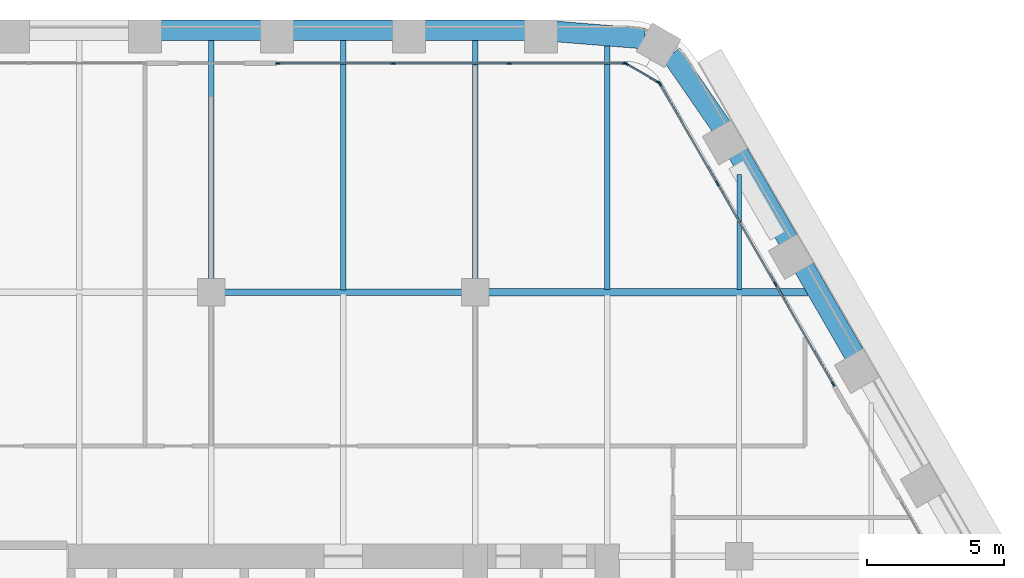
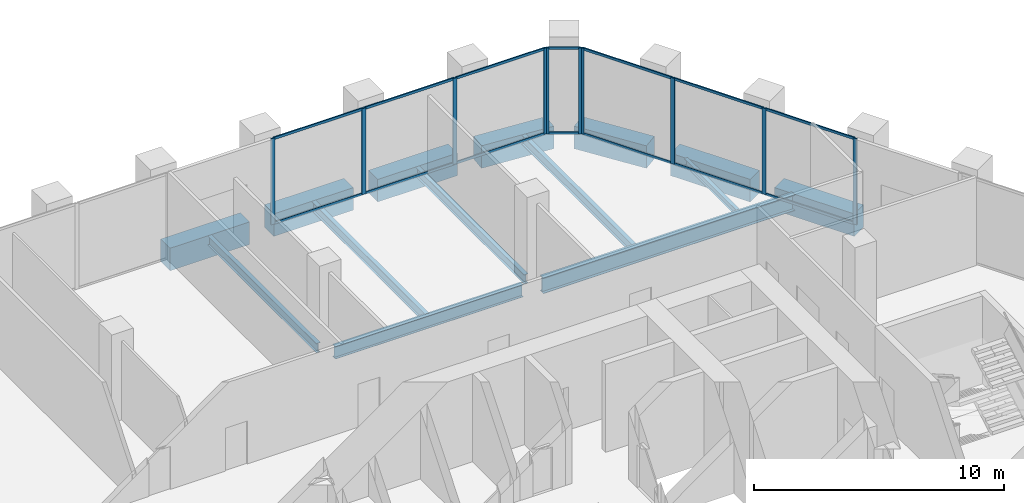
# One storey, part 10 of 24: 24 members, 14 beams, 3 elements without a shape of their own.
"""IFC4 building model written with IfcOpenShell, lengths in metres."""

from ifc_helpers import new_model, si_unit, direction, frame, origin, origin_2d, place, context, subcontext, project, spatial, rectangle, i_section, extrude, material, material_profile, profile_set, type_object, element, aggregate, save


model = new_model("IFC4")

# Units and contexts
model_context = context("Model", 3, precision=1e-05, world=origin(), true_north=direction((0.0, 1.0)))
body_context = subcontext(model_context, "Body", "Model", "MODEL_VIEW")
ifc_project = project(units=[si_unit("LENGTHUNIT", "METRE"), si_unit("AREAUNIT", "SQUARE_METRE"), si_unit("VOLUMEUNIT", "CUBIC_METRE"), si_unit("PLANEANGLEUNIT", "RADIAN"), si_unit("MASSUNIT", "GRAM", prefix="KILO")], contexts=[model_context])

# Site, building, storey
site_placement = place(None, origin())
site = spatial("IfcSite", under=ifc_project, at=site_placement, CompositionType="ELEMENT")
building_placement = place(site_placement, origin())
building = spatial("IfcBuilding", under=site, at=building_placement, Name="Kolab Exchange Tower", CompositionType="ELEMENT")
storey_placement = place(building_placement, frame((0.0, 0.0, 86.89990234375)))
storey = spatial("IfcBuildingStorey", under=building, at=storey_placement, Name="L16", CompositionType="ELEMENT", Elevation=86.89990234375)

# Beams
ifc_material_1 = material(Name="Steel S355", Category="steel")
ifc_material_profile_1 = material_profile(ifc_material_1, i_section(OverallWidth=0.1650390625, OverallDepth=0.31005859375, WebThickness=0.005859375, FlangeThickness=0.009765625, at=origin_2d()), Name="W310X39")
ifc_profile_set_1 = profile_set([ifc_material_profile_1], Name="Steel S355")
beam_type_1 = type_object("IfcBeamType", Name="FLOOR BEAM W310X39", PredefinedType="BEAM", material=ifc_profile_set_1)
beam_1_placement = place(storey_placement, frame((19.199951171875, 19.29345703125, -0.35498046875), z_axis=(0.0, 1.0, 0.0), x_axis=(-1.0, 0.0, 0.0)))
element("IfcBeam", 1, at=beam_1_placement, inside=storey, type_object=beam_type_1, Name="beam/L16/fr/045", PredefinedType="BEAM", context=body_context, shape_type="SweptSolid", body=[
    extrude(i_section(OverallWidth=0.1650390625, OverallDepth=0.31005859375, WebThickness=0.005859375, FlangeThickness=0.009765625, at=origin_2d()), origin(), (0.0, 0.0, 1.0), 4.18798828125),
])
ifc_material_profile_2 = material_profile(ifc_material_1, i_section(OverallWidth=0.18994140625, OverallDepth=0.45703125, WebThickness=0.009033203125, FlangeThickness=0.014404296875, at=origin_2d()), Name="W460X74")
ifc_profile_set_2 = profile_set([ifc_material_profile_2], Name="Steel S355")
beam_type_2 = type_object("IfcBeamType", Name="FLOOR BEAM W460X74", PredefinedType="BEAM", material=ifc_profile_set_2)
beam_2_placement = place(storey_placement, frame((0.0, 19.659912109375, -0.428466796875), z_axis=(0.0, 1.0, 0.0), x_axis=(-1.0, 0.0, 0.0)))
element("IfcBeam", 2, at=beam_2_placement, inside=storey, type_object=beam_type_2, Name="beam/L16/fr/027", PredefinedType="BEAM", context=body_context, shape_type="SweptSolid", body=[
    extrude(i_section(OverallWidth=0.18994140625, OverallDepth=0.45703125, WebThickness=0.009033203125, FlangeThickness=0.014404296875, at=origin_2d()), origin(), (0.0, 0.0, 1.0), 8.728515625),
])
beam_3_placement = place(storey_placement, frame((4.800048828125, 19.27392578125, -0.428466796875), z_axis=(0.0, 1.0, 0.0), x_axis=(-1.0, 0.0, 0.0)))
element("IfcBeam", 3, at=beam_3_placement, inside=storey, type_object=beam_type_2, Name="beam/L16/fr/031", PredefinedType="BEAM", context=body_context, shape_type="SweptSolid", body=[
    extrude(i_section(OverallWidth=0.18994140625, OverallDepth=0.45703125, WebThickness=0.009033203125, FlangeThickness=0.014404296875, at=origin_2d()), origin(), (0.0, 0.0, 1.0), 9.114501953125),
])
beam_4_placement = place(storey_placement, frame((9.60009765625, 19.659912109375, -0.428466796875), z_axis=(0.0, 1.0, 0.0), x_axis=(-1.0, 0.0, 0.0)))
element("IfcBeam", 4, at=beam_4_placement, inside=storey, type_object=beam_type_2, Name="beam/L16/fr/035", PredefinedType="BEAM", context=body_context, shape_type="SweptSolid", body=[
    extrude(i_section(OverallWidth=0.18994140625, OverallDepth=0.45703125, WebThickness=0.009033203125, FlangeThickness=0.014404296875, at=origin_2d()), origin(), (0.0, 0.0, 1.0), 8.728515625),
])
beam_5_placement = place(storey_placement, frame((14.39990234375, 19.29345703125, -0.428466796875), z_axis=(0.0, 1.0, 0.0), x_axis=(-1.0, 0.0, 0.0)))
element("IfcBeam", 5, at=beam_5_placement, inside=storey, type_object=beam_type_2, Name="beam/L16/fr/039", PredefinedType="BEAM", context=body_context, shape_type="SweptSolid", body=[
    extrude(i_section(OverallWidth=0.18994140625, OverallDepth=0.45703125, WebThickness=0.009033203125, FlangeThickness=0.014404296875, at=origin_2d()), origin(), (0.0, 0.0, 1.0), 8.901123046875),
])
ifc_material_profile_3 = material_profile(ifc_material_1, i_section(OverallWidth=0.22802734375, OverallDepth=0.60791015625, WebThickness=0.01123046875, FlangeThickness=0.017333984375, at=origin_2d()), Name="W610X113")
ifc_profile_set_3 = profile_set([ifc_material_profile_3], Name="Steel S355")
beam_type_3 = type_object("IfcBeamType", Name="FLOOR GIRDER W610X113", PredefinedType="BEAM", material=ifc_profile_set_3)
beam_6_placement = place(storey_placement, frame((0.4599609375, 19.199951171875, -0.50390625), z_axis=(1.0, 0.0, 0.0), x_axis=(0.0, 1.0, 0.0)))
element("IfcBeam", 6, at=beam_6_placement, inside=storey, type_object=beam_type_3, Name="beam/L16/gd/011", PredefinedType="BEAM", context=body_context, shape_type="SweptSolid", body=[
    extrude(i_section(OverallWidth=0.22802734375, OverallDepth=0.60791015625, WebThickness=0.01123046875, FlangeThickness=0.017333984375, at=origin_2d()), origin(), (0.0, 0.0, 1.0), 8.679931640625),
])
ifc_material_profile_4 = material_profile(ifc_material_1, i_section(OverallWidth=0.26708984375, OverallDepth=0.761962890625, WebThickness=0.014404296875, FlangeThickness=0.021484375, at=origin_2d()), Name="W760X173")
ifc_profile_set_4 = profile_set([ifc_material_profile_4], Name="Steel S355")
beam_type_4 = type_object("IfcBeamType", Name="FLOOR GIRDER W760X173", PredefinedType="BEAM", material=ifc_profile_set_4)
beam_7_placement = place(storey_placement, frame((10.06005859375, 19.199951171875, -0.580810546875), z_axis=(1.0, 0.0, 0.0), x_axis=(0.0, 1.0, 0.0)))
element("IfcBeam", 7, at=beam_7_placement, inside=storey, type_object=beam_type_4, Name="beam/L16/gd/013", PredefinedType="BEAM", context=body_context, shape_type="SweptSolid", body=[
    extrude(i_section(OverallWidth=0.26708984375, OverallDepth=0.761962890625, WebThickness=0.014404296875, FlangeThickness=0.021484375, at=origin_2d()), origin(), (0.0, 0.0, 1.0), 11.628662109375),
])
ifc_material_2 = material(Name="Concrete C70/85", Category="concrete")
ifc_material_profile_5 = material_profile(ifc_material_2, rectangle(XDim=0.75, YDim=1.10009765625, at=origin_2d()), Name="RC750X1100")
ifc_profile_set_5 = profile_set([ifc_material_profile_5], Name="Concrete C70/85")
beam_type_5 = type_object("IfcBeamType", Name="SPANDREL BEAM 750X1100 C70/85", PredefinedType="BEAM", material=ifc_profile_set_5)
beam_8_placement = place(storey_placement, frame((-1.840087890625, 28.723388671875, -0.75), z_axis=(1.0, 0.0, 0.0), x_axis=(0.0, 1.0, 0.0)))
element("IfcBeam", 8, at=beam_8_placement, inside=storey, type_object=beam_type_5, Name="beam/L16/sp/F1-04", PredefinedType="BEAM", context=body_context, shape_type="SweptSolid", body=[
    extrude(rectangle(XDim=0.75, YDim=1.10009765625, at=origin_2d()), origin(), (0.0, 0.0, 1.0), 3.68017578125),
])
for number, where, z_axis, x_axis, name in (
    (9, (2.9599609375, 28.723388671875, -0.75), (1.0, 0.0, 0.0), (0.0, 1.0, 0.0), "beam/L16/sp/F1-05"),
    (10, (7.760009765625, 28.723388671875, -0.75), (1.0, 0.0, 0.0), (0.0, 1.0, 0.0), "beam/L16/sp/F1-06"),
):
    element("IfcBeam", number, at=place(storey_placement, frame(where, z_axis=z_axis, x_axis=x_axis)), inside=storey, type_object=beam_type_5, Name=name, PredefinedType="BEAM", context=body_context, shape_type="SweptSolid", body=[
        extrude(rectangle(XDim=0.75, YDim=1.10009765625, at=origin_2d()), origin(), (0.0, 0.0, 1.0), 3.679931640625),
    ])
for number, where, z_axis, x_axis, name in (
    (11, (12.56005859375, 28.678466796875, -0.75), (0.996791038408, -0.080047646748, 0.0), (0.080047646748, 0.996791038408, 0.0), "beam/L16/sp/F1-07"),
    (12, (16.73486328125, 27.85791015625, -0.75), (0.567661826262, -0.823261836237, 0.0), (0.823261836237, 0.567661826262, 0.0), "beam/L16/sp/F2-01"),
):
    element("IfcBeam", number, at=place(storey_placement, frame(where, z_axis=z_axis, x_axis=x_axis)), inside=storey, type_object=beam_type_5, Name=name, PredefinedType="BEAM", context=body_context, shape_type="SweptSolid", body=[
        extrude(rectangle(XDim=0.75, YDim=1.10009765625, at=origin_2d()), origin(), (0.0, 0.0, 1.0), 3.20849609375),
    ])
for number, where, z_axis, x_axis, name in (
    (13, (19.1552734375, 24.26904296875, -0.75), (0.500013413428, -0.866017659399, 0.0), (0.866017659399, 0.500013413428, 0.0), "beam/L16/sp/F2-02"),
    (14, (21.55517578125, 20.112060546875, -0.75), (0.500013413428, -0.866017659399, 0.0), (0.866017659399, 0.500013413428, 0.0), "beam/L16/sp/F2-03"),
):
    element("IfcBeam", number, at=place(storey_placement, frame(where, z_axis=z_axis, x_axis=x_axis)), inside=storey, type_object=beam_type_5, Name=name, PredefinedType="BEAM", context=body_context, shape_type="SweptSolid", body=[
        extrude(rectangle(XDim=0.75, YDim=1.10009765625, at=origin_2d()), origin(), (0.0, 0.0, 1.0), 3.68017578125),
    ])

# Curtain wall, members
ifc_material_3 = material(Name="Aluminium EN AW-6063 T6", Category="aluminium")
curtain_wall_type = type_object("IfcCurtainWallType", Name="UNITISED LOWER MID ZONE CURTAIN WALL", PredefinedType="NOTDEFINED", material=ifc_material_3)
curtain_wall_1_placement = place(storey_placement, origin())
curtain_wall_1 = element("IfcCurtainWall", 15, at=curtain_wall_1_placement, inside=storey, type_object=curtain_wall_type, Name="cw/L16/F1-2", PredefinedType="NOTDEFINED")
ifc_material_profile_6 = material_profile(ifc_material_3, rectangle(XDim=0.06005859375, YDim=0.179931640625, at=origin_2d()), Name="RECT 60X180")
ifc_profile_set_6 = profile_set([ifc_material_profile_6], Name="Aluminium EN AW-6063 T6")
member_type_1 = type_object("IfcMemberType", Name="UNITISED LOWER MID ZONE MULLION 60 X 180", PredefinedType="MULLION", material=ifc_profile_set_6)
member_1_placement = place(storey_placement, frame((2.429931640625, 27.5185546875, 0.0), z_axis=(0.0, 0.0, 1.0), x_axis=(0.0, 1.0, 0.0)))
member_1 = element("IfcMember", 16, at=member_1_placement, type_object=member_type_1, Name="CW2 mullion 1", PredefinedType="MULLION", context=body_context, shape_type="SweptSolid", body=[
    extrude(rectangle(XDim=0.06005859375, YDim=0.179931640625, at=origin_2d()), origin(), (0.0, 0.0, 1.0), 4.2001953125),
])
member_2_placement = place(storey_placement, frame((6.62255859375, 27.5185546875, 0.0), z_axis=(0.0, 0.0, 1.0), x_axis=(0.0, 1.0, 0.0)))
member_2 = element("IfcMember", 17, at=member_2_placement, type_object=member_type_1, Name="CW2 mullion 2", PredefinedType="MULLION", context=body_context, shape_type="SweptSolid", body=[
    extrude(rectangle(XDim=0.06005859375, YDim=0.179931640625, at=origin_2d()), origin(), (0.0, 0.0, 1.0), 4.2001953125),
])
member_3_placement = place(storey_placement, frame((10.84521484375, 27.5185546875, 0.0), z_axis=(0.0, 0.0, 1.0), x_axis=(0.0, 1.0, 0.0)))
member_3 = element("IfcMember", 18, at=member_3_placement, type_object=member_type_1, Name="CW2 mullion 3", PredefinedType="MULLION", context=body_context, shape_type="SweptSolid", body=[
    extrude(rectangle(XDim=0.06005859375, YDim=0.179931640625, at=origin_2d()), origin(), (0.0, 0.0, 1.0), 4.2001953125),
])
member_4_placement = place(storey_placement, frame((15.037841796875, 27.5185546875, 0.0), z_axis=(0.0, 0.0, 1.0), x_axis=(0.0, 1.0, 0.0)))
member_4 = element("IfcMember", 19, at=member_4_placement, type_object=member_type_1, Name="CW2 mullion 4", PredefinedType="MULLION", context=body_context, shape_type="SweptSolid", body=[
    extrude(rectangle(XDim=0.06005859375, YDim=0.179931640625, at=origin_2d()), origin(), (0.0, 0.0, 1.0), 4.2001953125),
])

curtain_wall_2_placement = place(storey_placement, origin())
curtain_wall_2 = element("IfcCurtainWall", 20, at=curtain_wall_2_placement, inside=storey, type_object=curtain_wall_type, Name="cw/L16/F2-1", PredefinedType="NOTDEFINED")
member_5_placement = place(storey_placement, frame((16.312744140625, 26.782470703125, 0.0), z_axis=(0.0, 0.0, 1.0), x_axis=(0.866025393644, 0.500000017564, 0.0)))
member_5 = element("IfcMember", 21, at=member_5_placement, type_object=member_type_1, Name="CW2 mullion 1", PredefinedType="MULLION", context=body_context, shape_type="SweptSolid", body=[
    extrude(rectangle(XDim=0.06005859375, YDim=0.179931640625, at=origin_2d()), origin(), (0.0, 0.0, 1.0), 4.2001953125),
])
member_6_placement = place(storey_placement, frame((18.408935546875, 23.151611328125, 0.0), z_axis=(0.0, 0.0, 1.0), x_axis=(0.866025393644, 0.500000017564, 0.0)))
member_6 = element("IfcMember", 22, at=member_6_placement, type_object=member_type_1, Name="CW2 mullion 2", PredefinedType="MULLION", context=body_context, shape_type="SweptSolid", body=[
    extrude(rectangle(XDim=0.06005859375, YDim=0.179931640625, at=origin_2d()), origin(), (0.0, 0.0, 1.0), 4.2001953125),
])
member_7_placement = place(storey_placement, frame((20.520263671875, 19.49462890625, 0.0), z_axis=(0.0, 0.0, 1.0), x_axis=(0.866025393644, 0.500000017564, 0.0)))
member_7 = element("IfcMember", 23, at=member_7_placement, type_object=member_type_1, Name="CW2 mullion 3", PredefinedType="MULLION", context=body_context, shape_type="SweptSolid", body=[
    extrude(rectangle(XDim=0.06005859375, YDim=0.179931640625, at=origin_2d()), origin(), (0.0, 0.0, 1.0), 4.2001953125),
])
member_8_placement = place(storey_placement, frame((22.61669921875, 15.86376953125, 0.0), z_axis=(0.0, 0.0, 1.0), x_axis=(0.866025393644, 0.500000017564, 0.0)))
member_8 = element("IfcMember", 24, at=member_8_placement, type_object=member_type_1, Name="CW2 mullion 4", PredefinedType="MULLION", context=body_context, shape_type="SweptSolid", body=[
    extrude(rectangle(XDim=0.06005859375, YDim=0.179931640625, at=origin_2d()), origin(), (0.0, 0.0, 1.0), 4.2001953125),
])

curtain_wall_3_placement = place(storey_placement, origin())
curtain_wall_3 = element("IfcCurtainWall", 25, at=curtain_wall_3_placement, inside=storey, type_object=curtain_wall_type, Name="cw/L16/F1F2-corner", PredefinedType="NOTDEFINED")
member_9_placement = place(storey_placement, frame((15.093994140625, 27.50341796875, 0.0), z_axis=(0.0, 0.0, 1.0), x_axis=(0.50000002237, 0.866025390869, 0.0)))
member_9 = element("IfcMember", 26, at=member_9_placement, type_object=member_type_1, Name="CW2 mullion 1", PredefinedType="MULLION", context=body_context, shape_type="SweptSolid", body=[
    extrude(rectangle(XDim=0.06005859375, YDim=0.179931640625, at=origin_2d()), origin(), (0.0, 0.0, 1.0), 4.2001953125),
])
member_10_placement = place(storey_placement, frame((16.271728515625, 26.823486328125, 0.0), z_axis=(0.0, 0.0, 1.0), x_axis=(0.50000002237, 0.866025390869, 0.0)))
member_10 = element("IfcMember", 27, at=member_10_placement, type_object=member_type_1, Name="CW2 mullion 2", PredefinedType="MULLION", context=body_context, shape_type="SweptSolid", body=[
    extrude(rectangle(XDim=0.06005859375, YDim=0.179931640625, at=origin_2d()), origin(), (0.0, 0.0, 1.0), 4.2001953125),
])

# Member
ifc_material_profile_7 = material_profile(ifc_material_3, rectangle(XDim=0.06005859375, YDim=0.1201171875, at=origin_2d()), Name="RECT 60X120")
ifc_profile_set_7 = profile_set([ifc_material_profile_7], Name="Aluminium EN AW-6063 T6")
member_type_2 = type_object("IfcMemberType", Name="UNITISED LOWER MID ZONE TRANSOM 60 X 120", PredefinedType="USERDEFINED", material=ifc_profile_set_7)
member_11_placement = place(storey_placement, frame((2.4599609375, 27.5185546875, 0.030029296875), z_axis=(1.0, 0.0, 0.0), x_axis=(0.0, 1.0, 0.0)))
member_11 = element("IfcMember", 28, at=member_11_placement, type_object=member_type_2, Name="CW2 transom 1.1", ObjectType="TRANSOM", PredefinedType="USERDEFINED", context=body_context, shape_type="SweptSolid", body=[
    extrude(rectangle(XDim=0.06005859375, YDim=0.1201171875, at=origin_2d()), origin(), (0.0, 0.0, 1.0), 4.132568359375),
])

member_12_placement = place(storey_placement, frame((2.4599609375, 27.5185546875, 4.170166015625), z_axis=(1.0, 0.0, 0.0), x_axis=(0.0, 1.0, 0.0)))
member_12 = element("IfcMember", 29, at=member_12_placement, type_object=member_type_2, Name="CW2 transom 1.2", ObjectType="TRANSOM", PredefinedType="USERDEFINED", context=body_context, shape_type="SweptSolid", body=[
    extrude(rectangle(XDim=0.06005859375, YDim=0.1201171875, at=origin_2d()), origin(), (0.0, 0.0, 1.0), 4.132568359375),
])

member_13_placement = place(storey_placement, frame((6.652587890625, 27.5185546875, 0.030029296875), z_axis=(1.0, 0.0, 0.0), x_axis=(0.0, 1.0, 0.0)))
member_13 = element("IfcMember", 30, at=member_13_placement, type_object=member_type_2, Name="CW2 transom 2.1", ObjectType="TRANSOM", PredefinedType="USERDEFINED", context=body_context, shape_type="SweptSolid", body=[
    extrude(rectangle(XDim=0.06005859375, YDim=0.1201171875, at=origin_2d()), origin(), (0.0, 0.0, 1.0), 4.16259765625),
])

member_14_placement = place(storey_placement, frame((6.652587890625, 27.5185546875, 4.170166015625), z_axis=(1.0, 0.0, 0.0), x_axis=(0.0, 1.0, 0.0)))
member_14 = element("IfcMember", 31, at=member_14_placement, type_object=member_type_2, Name="CW2 transom 2.2", ObjectType="TRANSOM", PredefinedType="USERDEFINED", context=body_context, shape_type="SweptSolid", body=[
    extrude(rectangle(XDim=0.06005859375, YDim=0.1201171875, at=origin_2d()), origin(), (0.0, 0.0, 1.0), 4.16259765625),
])

member_15_placement = place(storey_placement, frame((10.875244140625, 27.5185546875, 0.030029296875), z_axis=(1.0, 0.0, 0.0), x_axis=(0.0, 1.0, 0.0)))
member_15 = element("IfcMember", 32, at=member_15_placement, type_object=member_type_2, Name="CW2 transom 3.1", ObjectType="TRANSOM", PredefinedType="USERDEFINED", context=body_context, shape_type="SweptSolid", body=[
    extrude(rectangle(XDim=0.06005859375, YDim=0.1201171875, at=origin_2d()), origin(), (0.0, 0.0, 1.0), 4.1328125),
])

member_16_placement = place(storey_placement, frame((10.875244140625, 27.5185546875, 4.170166015625), z_axis=(1.0, 0.0, 0.0), x_axis=(0.0, 1.0, 0.0)))
member_16 = element("IfcMember", 33, at=member_16_placement, type_object=member_type_2, Name="CW2 transom 3.2", ObjectType="TRANSOM", PredefinedType="USERDEFINED", context=body_context, shape_type="SweptSolid", body=[
    extrude(rectangle(XDim=0.06005859375, YDim=0.1201171875, at=origin_2d()), origin(), (0.0, 0.0, 1.0), 4.1328125),
])

aggregate(curtain_wall_1, [member_1, member_2, member_3, member_4, member_11, member_12, member_13, member_14, member_15, member_16])

member_17_placement = place(storey_placement, frame((16.32763671875, 26.756591796875, 0.030029296875), z_axis=(0.500001996123, -0.866024251319, 0.0), x_axis=(0.866024251319, 0.500001996123, 0.0)))
member_17 = element("IfcMember", 34, at=member_17_placement, type_object=member_type_2, Name="CW2 transom 1.1", ObjectType="TRANSOM", PredefinedType="USERDEFINED", context=body_context, shape_type="SweptSolid", body=[
    extrude(rectangle(XDim=0.06005859375, YDim=0.1201171875, at=origin_2d()), origin(), (0.0, 0.0, 1.0), 4.1328125),
])

member_18_placement = place(storey_placement, frame((16.32763671875, 26.756591796875, 4.170166015625), z_axis=(0.500001996123, -0.866024251319, 0.0), x_axis=(0.866024251319, 0.500001996123, 0.0)))
member_18 = element("IfcMember", 35, at=member_18_placement, type_object=member_type_2, Name="CW2 transom 1.2", ObjectType="TRANSOM", PredefinedType="USERDEFINED", context=body_context, shape_type="SweptSolid", body=[
    extrude(rectangle(XDim=0.06005859375, YDim=0.1201171875, at=origin_2d()), origin(), (0.0, 0.0, 1.0), 4.1328125),
])

member_19_placement = place(storey_placement, frame((18.424072265625, 23.12548828125, 0.030029296875), z_axis=(0.49999322259, -0.866029316688, 0.0), x_axis=(0.866029316688, 0.49999322259, 0.0)))
member_19 = element("IfcMember", 36, at=member_19_placement, type_object=member_type_2, Name="CW2 transom 2.1", ObjectType="TRANSOM", PredefinedType="USERDEFINED", context=body_context, shape_type="SweptSolid", body=[
    extrude(rectangle(XDim=0.06005859375, YDim=0.1201171875, at=origin_2d()), origin(), (0.0, 0.0, 1.0), 4.16259765625),
])

member_20_placement = place(storey_placement, frame((18.424072265625, 23.12548828125, 4.170166015625), z_axis=(0.49999322259, -0.866029316688, 0.0), x_axis=(0.866029316688, 0.49999322259, 0.0)))
member_20 = element("IfcMember", 37, at=member_20_placement, type_object=member_type_2, Name="CW2 transom 2.2", ObjectType="TRANSOM", PredefinedType="USERDEFINED", context=body_context, shape_type="SweptSolid", body=[
    extrude(rectangle(XDim=0.06005859375, YDim=0.1201171875, at=origin_2d()), origin(), (0.0, 0.0, 1.0), 4.16259765625),
])

member_21_placement = place(storey_placement, frame((20.535400390625, 19.46875, 0.030029296875), z_axis=(0.499957688808, -0.866049830784, 0.0), x_axis=(0.866049830784, 0.499957688808, 0.0)))
member_21 = element("IfcMember", 38, at=member_21_placement, type_object=member_type_2, Name="CW2 transom 3.1", ObjectType="TRANSOM", PredefinedType="USERDEFINED", context=body_context, shape_type="SweptSolid", body=[
    extrude(rectangle(XDim=0.06005859375, YDim=0.1201171875, at=origin_2d()), origin(), (0.0, 0.0, 1.0), 4.132568359375),
])

member_22_placement = place(storey_placement, frame((20.535400390625, 19.46875, 4.170166015625), z_axis=(0.499957688808, -0.866049830784, 0.0), x_axis=(0.866049830784, 0.499957688808, 0.0)))
member_22 = element("IfcMember", 39, at=member_22_placement, type_object=member_type_2, Name="CW2 transom 3.2", ObjectType="TRANSOM", PredefinedType="USERDEFINED", context=body_context, shape_type="SweptSolid", body=[
    extrude(rectangle(XDim=0.06005859375, YDim=0.1201171875, at=origin_2d()), origin(), (0.0, 0.0, 1.0), 4.132568359375),
])

aggregate(curtain_wall_2, [member_5, member_6, member_7, member_8, member_17, member_18, member_19, member_20, member_21, member_22])

member_23_placement = place(storey_placement, frame((15.119873046875, 27.488525390625, 0.030029296875), z_axis=(0.866004217611, -0.500036693733, 0.0), x_axis=(0.500036693733, 0.866004217611, 0.0)))
member_23 = element("IfcMember", 40, at=member_23_placement, type_object=member_type_2, Name="CW2 transom 1.1", ObjectType="TRANSOM", PredefinedType="USERDEFINED", context=body_context, shape_type="SweptSolid", body=[
    extrude(rectangle(XDim=0.06005859375, YDim=0.1201171875, at=origin_2d()), origin(), (0.0, 0.0, 1.0), 1.30029296875),
])

member_24_placement = place(storey_placement, frame((15.119873046875, 27.488525390625, 4.170166015625), z_axis=(0.866004217611, -0.500036693733, 0.0), x_axis=(0.500036693733, 0.866004217611, 0.0)))
member_24 = element("IfcMember", 41, at=member_24_placement, type_object=member_type_2, Name="CW2 transom 1.2", ObjectType="TRANSOM", PredefinedType="USERDEFINED", context=body_context, shape_type="SweptSolid", body=[
    extrude(rectangle(XDim=0.06005859375, YDim=0.1201171875, at=origin_2d()), origin(), (0.0, 0.0, 1.0), 1.30029296875),
])

aggregate(curtain_wall_3, [member_9, member_10, member_23, member_24])

save(model, "model.ifc")
